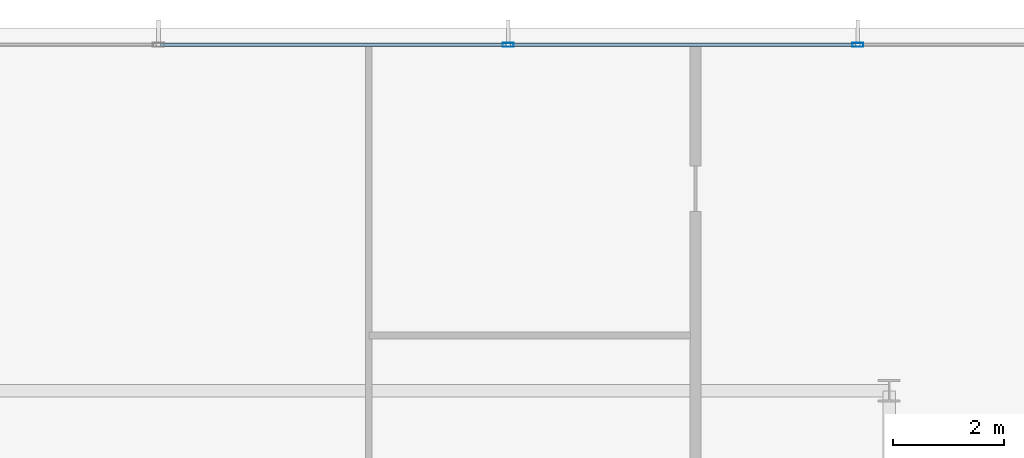
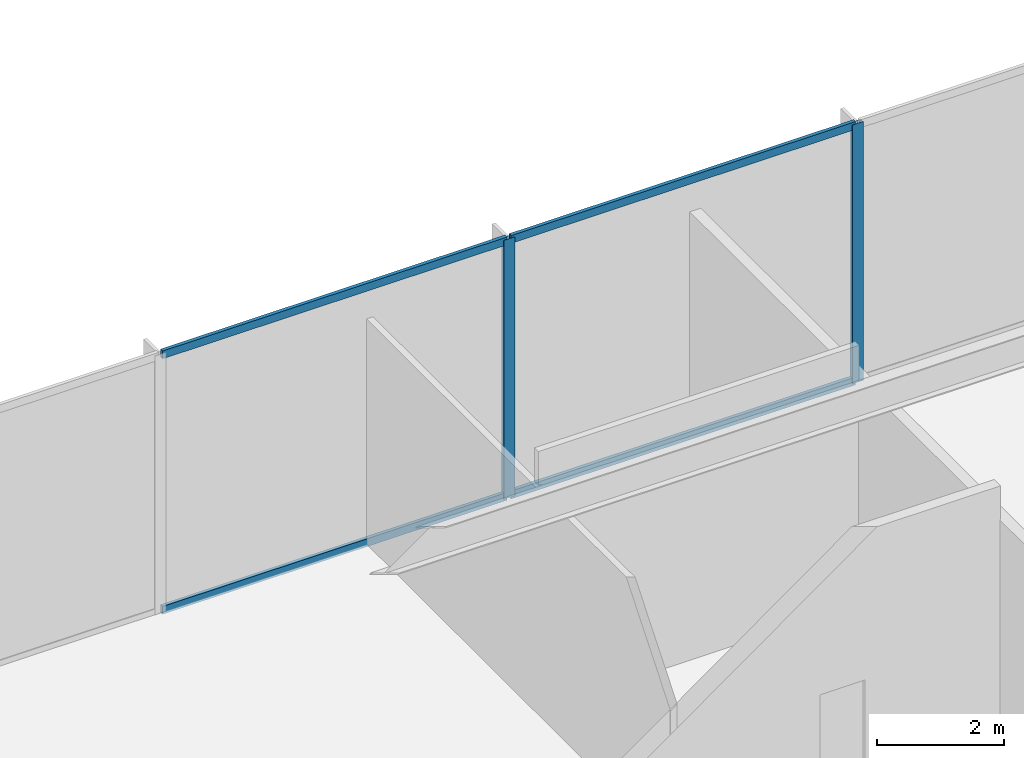
# One storey, part 30 of 43: 6 members, 1 element without a shape of its own.
"""IFC4 building model written with IfcOpenShell, lengths in metres."""

from ifc_helpers import new_model, si_unit, direction, frame, origin, origin_2d, place, context, subcontext, project, spatial, hollow_rectangle, extrude, material, layer, layer_set, material_profile, profile_set, type_object, element, aggregate, save


model = new_model("IFC4")

# Units and contexts
model_context = context("Model", 3, precision=1e-05, world=origin(), true_north=direction((0.0, 1.0)))
body_context = subcontext(model_context, "Body", "Model", "MODEL_VIEW")
ifc_project = project(units=[si_unit("LENGTHUNIT", "METRE"), si_unit("AREAUNIT", "SQUARE_METRE"), si_unit("VOLUMEUNIT", "CUBIC_METRE"), si_unit("PLANEANGLEUNIT", "RADIAN"), si_unit("MASSUNIT", "GRAM", prefix="KILO")], contexts=[model_context])

# Site, building, storey
site_placement = place(None, origin())
site = spatial("IfcSite", under=ifc_project, at=site_placement, CompositionType="ELEMENT")
building_placement = place(site_placement, origin())
building = spatial("IfcBuilding", under=site, at=building_placement, Name="Orvanel Arch Residences", CompositionType="ELEMENT")
storey_placement = place(building_placement, frame((0.0, 0.0, 18.39990234375)))
storey = spatial("IfcBuildingStorey", under=building, at=storey_placement, Name="L04", CompositionType="ELEMENT", Elevation=18.39990234375)

# Curtain wall, members
ifc_material = material(Name="Bronze-anodised aluminium AA6063-T6", Category="aluminium")
ifc_layer = layer(ifc_material, 0.199951171875)
ifc_layer_set = layer_set([ifc_layer], Name="Bronze-anodised aluminium AA6063-T6")
curtain_wall_type = type_object("IfcCurtainWallType", Name="CW1-POD-SYS", PredefinedType="NOTDEFINED", material=ifc_layer_set)
curtain_wall_placement = place(storey_placement, origin())
curtain_wall = element("IfcCurtainWall", 1, at=curtain_wall_placement, inside=storey, type_object=curtain_wall_type, Name="L04 CW1-POD-SYS Unitised Curtain Wall", PredefinedType="NOTDEFINED")
ifc_material_profile_1 = material_profile(ifc_material, hollow_rectangle(XDim=0.074951171875, YDim=0.199951171875, WallThickness=0.0048828125, at=origin_2d()), Name="ALU200x75x5")
ifc_profile_set_1 = profile_set([ifc_material_profile_1], Name="Bronze-anodised aluminium AA6063-T6")
member_type_1 = type_object("IfcMemberType", Name="MUL-200x75", PredefinedType="MULLION", material=ifc_profile_set_1)
member_1_placement = place(storey_placement, frame((45.635986328125, 54.25, 0.0), z_axis=(0.0, 0.0, 1.0), x_axis=(0.0, -1.0, 0.0)))
member_1 = element("IfcMember", 2, at=member_1_placement, type_object=member_type_1, Name="CW-S1 mullion 4", PredefinedType="MULLION", context=body_context, shape_type="SweptSolid", body=[
    extrude(hollow_rectangle(XDim=0.074951171875, YDim=0.199951171875, WallThickness=0.0048828125, at=origin_2d()), origin(), (0.0, 0.0, 1.0), 4.960205078125),
])
member_2_placement = place(storey_placement, frame((39.318115234375, 54.25, 0.0), z_axis=(0.0, 0.0, 1.0), x_axis=(0.0, -1.0, 0.0)))
member_2 = element("IfcMember", 3, at=member_2_placement, type_object=member_type_1, Name="CW-S1 mullion 5", PredefinedType="MULLION", context=body_context, shape_type="SweptSolid", body=[
    extrude(hollow_rectangle(XDim=0.074951171875, YDim=0.199951171875, WallThickness=0.0048828125, at=origin_2d()), origin(), (0.0, 0.0, 1.0), 4.960205078125),
])
ifc_material_profile_2 = material_profile(ifc_material, hollow_rectangle(XDim=0.06494140625, YDim=0.14990234375, WallThickness=0.00390625, at=origin_2d()), Name="ALU150x65x4")
ifc_profile_set_2 = profile_set([ifc_material_profile_2], Name="Bronze-anodised aluminium AA6063-T6")
member_type_2 = type_object("IfcMemberType", Name="TRN-150x65", PredefinedType="USERDEFINED", material=ifc_profile_set_2)
member_3_placement = place(storey_placement, frame((45.598388671875, 54.25, 0.03271484375), z_axis=(-1.0, 0.0, 0.0), x_axis=(0.0, -1.0, 0.0)))
member_3 = element("IfcMember", 4, at=member_3_placement, type_object=member_type_2, Name="CW-S1 transom 4.1", ObjectType="TRANSOM", PredefinedType="USERDEFINED", context=body_context, shape_type="SweptSolid", body=[
    extrude(hollow_rectangle(XDim=0.06494140625, YDim=0.14990234375, WallThickness=0.00390625, at=origin_2d()), origin(), (0.0, 0.0, 1.0), 6.242919921875),
])
member_4_placement = place(storey_placement, frame((45.598388671875, 54.25, 4.927490234375), z_axis=(-1.0, 0.0, 0.0), x_axis=(0.0, -1.0, 0.0)))
member_4 = element("IfcMember", 5, at=member_4_placement, type_object=member_type_2, Name="CW-S1 transom 4.2", ObjectType="TRANSOM", PredefinedType="USERDEFINED", context=body_context, shape_type="SweptSolid", body=[
    extrude(hollow_rectangle(XDim=0.06494140625, YDim=0.14990234375, WallThickness=0.00390625, at=origin_2d()), origin(), (0.0, 0.0, 1.0), 6.242919921875),
])
member_5_placement = place(storey_placement, frame((39.280517578125, 54.25, 0.03271484375), z_axis=(-1.0, 0.0, 0.0), x_axis=(0.0, -1.0, 0.0)))
member_5 = element("IfcMember", 6, at=member_5_placement, type_object=member_type_2, Name="CW-S1 transom 5.1", ObjectType="TRANSOM", PredefinedType="USERDEFINED", context=body_context, shape_type="SweptSolid", body=[
    extrude(hollow_rectangle(XDim=0.06494140625, YDim=0.14990234375, WallThickness=0.00390625, at=origin_2d()), origin(), (0.0, 0.0, 1.0), 6.242919921875),
])
member_6_placement = place(storey_placement, frame((39.280517578125, 54.25, 4.927490234375), z_axis=(-1.0, 0.0, 0.0), x_axis=(0.0, -1.0, 0.0)))
member_6 = element("IfcMember", 7, at=member_6_placement, type_object=member_type_2, Name="CW-S1 transom 5.2", ObjectType="TRANSOM", PredefinedType="USERDEFINED", context=body_context, shape_type="SweptSolid", body=[
    extrude(hollow_rectangle(XDim=0.06494140625, YDim=0.14990234375, WallThickness=0.00390625, at=origin_2d()), origin(), (0.0, 0.0, 1.0), 6.242919921875),
])
aggregate(curtain_wall, [member_1, member_2, member_3, member_4, member_5, member_6])

save(model, "model.ifc")
